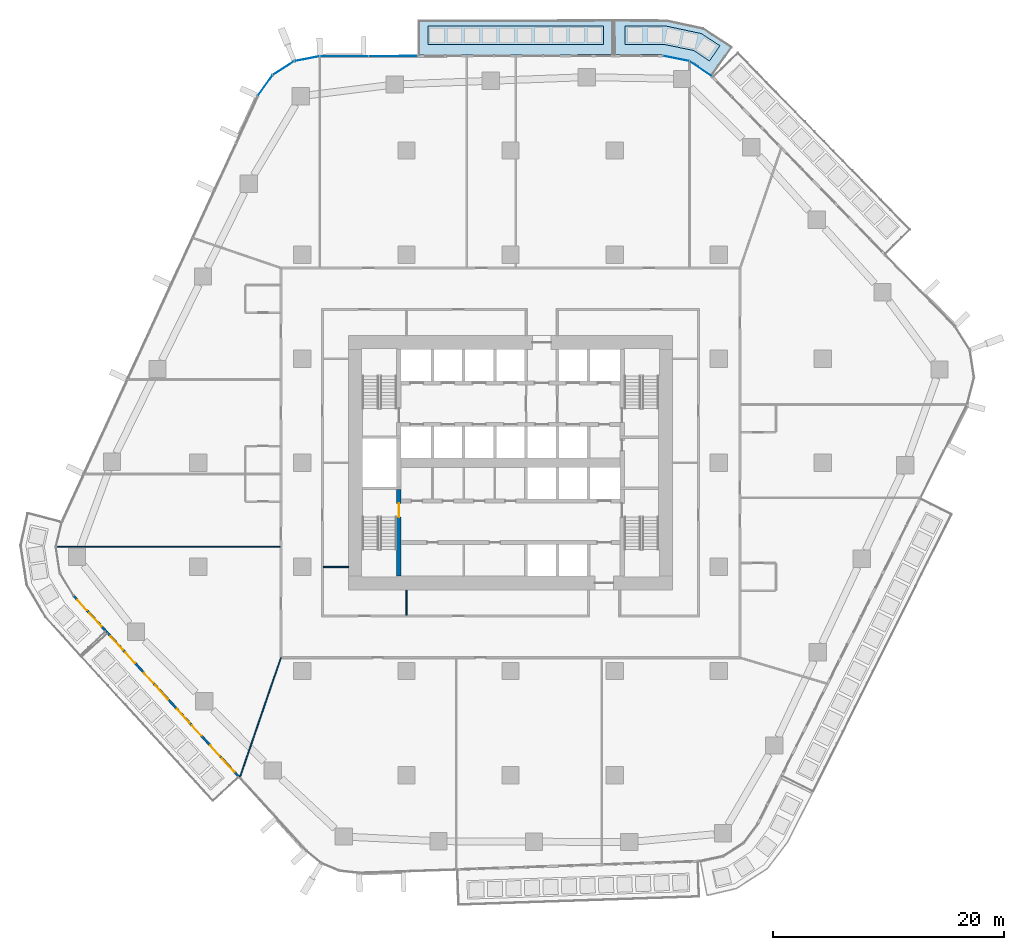
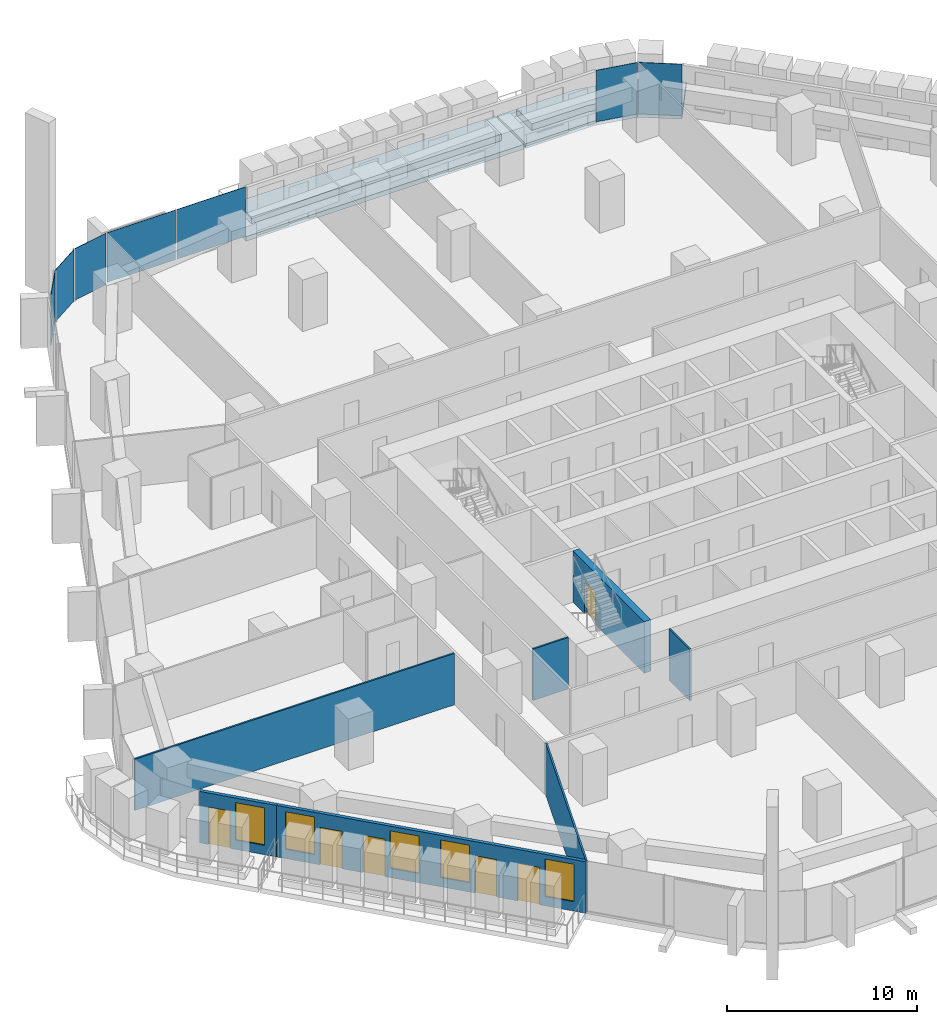
# One storey, part 12 of 26: 7 plates, 7 walls, 6 doors, 5 windows, 4 slabs, 11 openings, 3 elements without a shape of their own.
"""IFC4 building model written with IfcOpenShell, lengths in metres."""

from ifc_helpers import new_model, si_unit, direction, frame, frame_2d, origin, origin_2d, place, context, subcontext, project, spatial, polyline, rectangle, outline, extrude, material, layer, layer_set, type_object, element, fill, aggregate, save


model = new_model("IFC4")

# Units and contexts
model_context = context("Model", 3, precision=1e-05, world=origin(), true_north=direction((0.0, 1.0)))
body_context = subcontext(model_context, "Body", "Model", "MODEL_VIEW")
ifc_project = project(units=[si_unit("LENGTHUNIT", "METRE"), si_unit("AREAUNIT", "SQUARE_METRE"), si_unit("VOLUMEUNIT", "CUBIC_METRE"), si_unit("PLANEANGLEUNIT", "RADIAN"), si_unit("MASSUNIT", "GRAM", prefix="KILO")], contexts=[model_context])

# Site, building, storey
site_placement = place(None, origin())
site = spatial("IfcSite", under=ifc_project, at=site_placement, CompositionType="ELEMENT")
building_placement = place(site_placement, origin())
building = spatial("IfcBuilding", under=site, at=building_placement, Name="Dongbaek Canopy Tower", CompositionType="ELEMENT")
storey_placement = place(building_placement, frame((0.0, 0.0, 66.199951171875)))
storey = spatial("IfcBuildingStorey", under=building, at=storey_placement, Name="L12", CompositionType="ELEMENT", Elevation=66.199951171875)

# Slabs
ifc_material_1 = material(Name="Concrete C40/50", Category="concrete")
ifc_layer_1 = layer(ifc_material_1, 0.300048828125)
ifc_layer_set_1 = layer_set([ifc_layer_1], Name="Balcony slab 300")
slab_type_1 = type_object("IfcSlabType", Name="Balcony slab 300", PredefinedType="FLOOR", material=ifc_layer_set_1)
slab_1_placement = place(storey_placement, frame((0.0, 0.0, -0.300048828125)))
element("IfcSlab", 1, at=slab_1_placement, inside=storey, type_object=slab_type_1, Name="Balcony L12 2", PredefinedType="FLOOR", context=body_context, shape_type="SweptSolid", body=[
    extrude(outline(polyline([(8.88427734375, 35.28955078125), (-7.980224609375, 35.265380859375), (-7.984619140625, 38.265380859375), (8.8798828125, 38.28955078125), (8.88427734375, 35.28955078125)])), origin(), (0.0, 0.0, 1.0), 0.300048828125),
])
slab_2_placement = place(storey_placement, frame((0.0, 0.0, -0.300048828125)))
element("IfcSlab", 2, at=slab_2_placement, inside=storey, type_object=slab_type_1, Name="Balcony L12 6", PredefinedType="FLOOR", context=body_context, shape_type="SweptSolid", body=[
    extrude(outline(polyline([(17.44580078125, 33.50537109375), (15.515869140625, 34.823974609375), (13.17529296875, 35.295654296875), (8.984130859375, 35.289794921875), (8.97998046875, 38.289794921875), (13.470947265625, 38.28125), (16.681640625, 37.588134765625), (19.138427734375, 35.982177734375), (17.44580078125, 33.50537109375)])), origin(), (0.0, 0.0, 1.0), 0.300048828125),
])

# Curtain wall, plates
ifc_material_2 = material(Name="Aluminium 6063-T6 pale anodised", Category="aluminium")
ifc_layer_2 = layer(ifc_material_2, 0.199951171875)
ifc_layer_set_2 = layer_set([ifc_layer_2], Name="CW-1 unitised tower curtain wall")
curtain_wall_type = type_object("IfcCurtainWallType", Name="CW-1 unitised tower curtain wall", PredefinedType="NOTDEFINED", material=ifc_layer_set_2)
curtain_wall_1_placement = place(storey_placement, origin())
curtain_wall_1 = element("IfcCurtainWall", 3, at=curtain_wall_1_placement, inside=storey, type_object=curtain_wall_type, Name="CW-1 curtain wall K1.1", PredefinedType="NOTDEFINED")
ifc_material_3 = material(Name="Clear laminated glass", Category="glass")
ifc_layer_3 = layer(ifc_material_3, 0.028076171875)
ifc_layer_set_3 = layer_set([ifc_layer_3], Name="CW-1 glazed panel 28")
plate_type = type_object("IfcPlateType", Name="CW-1 glazed panel 28", PredefinedType="CURTAIN_PANEL", material=ifc_layer_set_3)
plate_1_placement = place(storey_placement, frame((16.44921875, 34.065185546875, 0.0), z_axis=(0.0, 0.0, 1.0), x_axis=(-0.825641209577, 0.564195527321, 0.0)))
plate_1 = element("IfcPlate", 4, at=plate_1_placement, type_object=plate_type, Name="CW-1 panel K1.1.1.1", PredefinedType="CURTAIN_PANEL", context=body_context, shape_type="SweptSolid", body=[
    extrude(rectangle(XDim=2.273193359375, YDim=0.028076171875, at=origin_2d()), origin(), (0.0, 0.0, 1.0), 3.300048828125),
])
plate_2_placement = place(storey_placement, frame((14.32080078125, 34.962890625, 0.0), z_axis=(0.0, 0.0, 1.0), x_axis=(-0.980291764832, 0.19755519685, 0.0)))
plate_2 = element("IfcPlate", 5, at=plate_2_placement, type_object=plate_type, Name="CW-1 panel K1.1.2.1", PredefinedType="CURTAIN_PANEL", context=body_context, shape_type="SweptSolid", body=[
    extrude(rectangle(XDim=2.273193359375, YDim=0.028076171875, at=origin_2d()), origin(), (0.0, 0.0, 1.0), 3.300048828125),
])
aggregate(curtain_wall_1, [plate_1, plate_2])

curtain_wall_2_placement = place(storey_placement, origin())
curtain_wall_2 = element("IfcCurtainWall", 6, at=curtain_wall_2_placement, inside=storey, type_object=curtain_wall_type, Name="CW-1 curtain wall F1.1", PredefinedType="NOTDEFINED")
plate_3_placement = place(storey_placement, frame((-10.150634765625, 35.162353515625, 0.1201171875), z_axis=(0.0, 0.0, 1.0), x_axis=(-0.999998971422, -0.00143427852, 0.0)))
plate_3 = element("IfcPlate", 7, at=plate_3_placement, type_object=plate_type, Name="CW-1 panel F1.1.1.1", PredefinedType="CURTAIN_PANEL", context=body_context, shape_type="SweptSolid", body=[
    extrude(rectangle(XDim=4.1572265625, YDim=0.028076171875, at=origin_2d()), origin(), (0.0, 0.0, 1.0), 3.179931640625),
])
plate_4_placement = place(storey_placement, frame((-14.386962890625, 35.15625, 0.1201171875), z_axis=(0.0, 0.0, 1.0), x_axis=(-0.999998971422, -0.00143427852, 0.0)))
plate_4 = element("IfcPlate", 8, at=plate_4_placement, type_object=plate_type, Name="CW-1 panel F1.1.2.1", PredefinedType="CURTAIN_PANEL", context=body_context, shape_type="SweptSolid", body=[
    extrude(rectangle(XDim=4.147705078125, YDim=0.028076171875, at=origin_2d()), origin(), (0.0, 0.0, 1.0), 3.179931640625),
])
aggregate(curtain_wall_2, [plate_3, plate_4])

curtain_wall_3_placement = place(storey_placement, origin())
curtain_wall_3 = element("IfcCurtainWall", 9, at=curtain_wall_3_placement, inside=storey, type_object=curtain_wall_type, Name="CW-1 curtain wall K2.1", PredefinedType="NOTDEFINED")
plate_5_placement = place(storey_placement, frame((-17.599365234375, 34.94091796875, 0.0), z_axis=(0.0, 0.0, 1.0), x_axis=(-0.981792795313, -0.189955013284, 0.0)))
plate_5 = element("IfcPlate", 10, at=plate_5_placement, type_object=plate_type, Name="CW-1 panel K2.1.1.1", PredefinedType="CURTAIN_PANEL", context=body_context, shape_type="SweptSolid", body=[
    extrude(rectangle(XDim=2.14990234375, YDim=0.028076171875, at=origin_2d()), origin(), (0.0, 0.0, 1.0), 3.300048828125),
])
plate_6_placement = place(storey_placement, frame((-19.632080078125, 34.128173828125, 0.0), z_axis=(0.0, 0.0, 1.0), x_axis=(-0.84164162905, -0.540036450853, 0.0)))
plate_6 = element("IfcPlate", 11, at=plate_6_placement, type_object=plate_type, Name="CW-1 panel K2.1.2.1", PredefinedType="CURTAIN_PANEL", context=body_context, shape_type="SweptSolid", body=[
    extrude(rectangle(XDim=2.14013671875, YDim=0.028076171875, at=origin_2d()), origin(), (0.0, 0.0, 1.0), 3.300048828125),
])
plate_7_placement = place(storey_placement, frame((-21.2177734375, 32.619384765625, 0.0), z_axis=(0.0, 0.0, 1.0), x_axis=(-0.581809559836, -0.813325049463, 0.0)))
plate_7 = element("IfcPlate", 12, at=plate_7_placement, type_object=plate_type, Name="CW-1 panel K2.1.3.1", PredefinedType="CURTAIN_PANEL", context=body_context, shape_type="SweptSolid", body=[
    extrude(rectangle(XDim=2.14990234375, YDim=0.028076171875, at=origin_2d()), origin(), (0.0, 0.0, 1.0), 3.300048828125),
])
aggregate(curtain_wall_3, [plate_5, plate_6, plate_7])

# Slabs
ifc_material_4 = material(Name="Reinforced concrete C40/50 planter box with soil", Category="concrete")
ifc_layer_4 = layer(ifc_material_4, 0.419921875)
ifc_layer_set_4 = layer_set([ifc_layer_4], Name="Terrace planter box 1600 x 420")
slab_type_2 = type_object("IfcSlabType", Name="Terrace planter box 1600 x 420", PredefinedType="USERDEFINED", material=ifc_layer_set_4)
slab_3_placement = place(storey_placement, origin())
element("IfcSlab", 13, at=slab_3_placement, inside=storey, type_object=slab_type_2, Name="Balcony planter L12 2", ObjectType="PLANTER", PredefinedType="USERDEFINED", context=body_context, shape_type="SweptSolid", body=[
    extrude(outline(polyline([(8.032958984375, 36.178466796875), (-7.131591796875, 36.15673828125), (-7.1337890625, 37.756591796875), (8.03076171875, 37.7783203125), (8.032958984375, 36.178466796875)])), origin(), (0.0, 0.0, 1.0), 0.420166015625),
])
slab_4_placement = place(storey_placement, origin())
element("IfcSlab", 14, at=slab_4_placement, inside=storey, type_object=slab_type_2, Name="Balcony planter L12 6", ObjectType="PLANTER", PredefinedType="USERDEFINED", context=body_context, shape_type="SweptSolid", body=[
    extrude(outline(polyline([(17.204833984375, 34.747802734375), (15.86181640625, 35.64404296875), (13.262939453125, 36.181396484375), (9.883056640625, 36.18115234375), (9.880615234375, 37.781005859375), (13.420654296875, 37.773681640625), (16.483642578125, 37.118408203125), (18.107666015625, 36.06884765625), (17.204833984375, 34.747802734375)])), origin(), (0.0, 0.0, 1.0), 0.420166015625),
])

# Walls
ifc_material_5 = material(Name="Gypsum board partition, steel stud, 2 x 12.5 mm board", Category="steel")
ifc_layer_5 = layer(ifc_material_5, 0.10009765625)
ifc_layer_set_5 = layer_set([ifc_layer_5], Name="Partition 100 gypsum board")
wall_type_1 = type_object("IfcWallType", Name="Partition 100 gypsum board", PredefinedType="PARTITIONING", material=ifc_layer_set_5)
wall_1_placement = place(storey_placement, frame((-16.175048828125, -9.0, 0.0), z_axis=(0.0, 0.0, 1.0), x_axis=(1.0, 0.0, 0.0)))
element("IfcWall", 15, at=wall_1_placement, inside=storey, type_object=wall_type_1, Name="Partition", PredefinedType="PARTITIONING", context=body_context, shape_type="SweptSolid", body=[
    extrude(rectangle(XDim=2.175048828125, YDim=0.10009765625, at=frame_2d((1.08740234375, 0.0))), origin(), (0.0, 0.0, 1.0), 3.300048828125),
])
wall_2_placement = place(storey_placement, frame((-39.29345703125, -7.26904296875, 0.0), z_axis=(0.0, 0.0, 1.0), x_axis=(1.0, 0.0, 0.0)))
element("IfcWall", 16, at=wall_2_placement, inside=storey, type_object=wall_type_1, Name="Partition", PredefinedType="PARTITIONING", context=body_context, shape_type="SweptSolid", body=[
    extrude(rectangle(XDim=19.368408203125, YDim=0.10009765625, at=frame_2d((9.68408203125, 0.0))), origin(), (0.0, 0.0, 1.0), 3.300048828125),
])
wall_3_placement = place(storey_placement, frame((-23.40380859375, -27.212646484375, 0.0), z_axis=(0.0, 0.0, 1.0), x_axis=(0.32441263541, 0.945915663253, 0.0)))
element("IfcWall", 17, at=wall_3_placement, inside=storey, type_object=wall_type_1, Name="Partition", PredefinedType="PARTITIONING", context=body_context, shape_type="SweptSolid", body=[
    extrude(rectangle(XDim=10.955078125, YDim=0.10009765625, at=frame_2d((5.4775390625, 0.0))), origin(), (0.0, 0.0, 1.0), 3.300048828125),
])
wall_4_placement = place(storey_placement, frame((-9.0, -13.175048828125, 0.0), z_axis=(0.0, 0.0, 1.0), x_axis=(0.0, 1.0, 0.0)))
element("IfcWall", 18, at=wall_4_placement, inside=storey, type_object=wall_type_1, Name="Partition", PredefinedType="PARTITIONING", context=body_context, shape_type="SweptSolid", body=[
    extrude(rectangle(XDim=2.175048828125, YDim=0.10009765625, at=frame_2d((1.08740234375, 0.0))), origin(), (0.0, 0.0, 1.0), 3.300048828125),
])

# Wall, opening, door
ifc_material_6 = material(Name="Concrete C60/75", Category="concrete")
ifc_layer_6 = layer(ifc_material_6, 0.39990234375)
ifc_layer_set_6 = layer_set([ifc_layer_6], Name="Stair wall 400 Concrete C60/75")
wall_type_2 = type_object("IfcWallType", Name="Stair wall 400 Concrete C60/75", PredefinedType="SHEAR", material=ifc_layer_set_6)
wall_5_placement = place(storey_placement, frame((-9.64990234375, -9.800048828125, 0.0), z_axis=(0.0, 0.0, 1.0), x_axis=(0.0, 1.0, 0.0)))
wall_5 = element("IfcWall", 19, at=wall_5_placement, inside=storey, type_object=wall_type_2, Name="Stair wall", PredefinedType="SHEAR", context=body_context, shape_type="SweptSolid", body=[
    extrude(rectangle(XDim=7.5, YDim=0.39990234375, at=frame_2d((3.75, 0.0))), origin(), (0.0, 0.0, 1.0), 3.300048828125),
])
opening_1_placement = place(wall_5_placement, frame((5.10009765625, 0.0, 0.0)))
opening_1 = element("IfcOpeningElement", 20, at=opening_1_placement, cuts=wall_5, Name="Opening L12-D055", PredefinedType="OPENING", context=body_context, shape_type="SweptSolid", body=[
    extrude(rectangle(XDim=1.199951171875, YDim=2.10009765625, at=frame_2d((0.60009765625, 1.050048828125))), frame((0.0, 0.2099609375, 0.0), z_axis=(0.0, -1.0, 0.0), x_axis=(1.0, 0.0, 0.0)), (0.0, 0.0, 1.0), 0.419921875),
])
ifc_material_7 = material(Name="Steel", Category="steel")
door_type_1 = type_object("IfcDoorType", Name="Stair door 1200 x 2100", OperationType="SINGLE_SWING_LEFT", PredefinedType="DOOR", material=ifc_material_7)
door_1_placement = place(opening_1_placement, origin())
door_1 = element("IfcDoor", 21, at=door_1_placement, inside=storey, type_object=door_type_1, Name="Stair D door", OperationType="SINGLE_SWING_LEFT", OverallHeight=2.10009765625, OverallWidth=1.199951171875, PredefinedType="DOOR", context=body_context, shape_type="SweptSolid", body=[
    extrude(rectangle(XDim=1.199951171875, YDim=2.10009765625, at=frame_2d((0.60009765625, 1.050048828125))), frame((0.0, 0.02490234375, 0.0), z_axis=(0.0, -1.0, 0.0), x_axis=(1.0, 0.0, 0.0)), (0.0, 0.0, 1.0), 0.050048828125),
])
fill(opening_1, door_1)

# Wall, openings, doors, windows
ifc_material_8 = material(Name="Aluminium window wall", Category="aluminium")
ifc_layer_7 = layer(ifc_material_8, 0.199951171875)
ifc_layer_set_7 = layer_set([ifc_layer_7], Name="Window wall 200")
wall_type_3 = type_object("IfcWallType", Name="Window wall 200", PredefinedType="SOLIDWALL", material=ifc_layer_set_7)
wall_6_placement = place(storey_placement, frame((-34.90576171875, -14.636474609375, 0.0), z_axis=(0.0, 0.0, 1.0), x_axis=(0.674011334321, -0.738721003632, 0.0)))
wall_6 = element("IfcWall", 22, at=wall_6_placement, inside=storey, type_object=wall_type_3, Name="Window wall L12 3", PredefinedType="SOLIDWALL", context=body_context, shape_type="SweptSolid", body=[
    extrude(rectangle(XDim=17.05322265625, YDim=0.199951171875, at=frame_2d((8.526611328125, 0.0))), origin(), (0.0, 0.0, 1.0), 3.300048828125),
])
opening_2_placement = place(wall_6_placement, frame((0.5, 0.0, 0.60009765625)))
opening_2 = element("IfcOpeningElement", 23, at=opening_2_placement, cuts=wall_6, Name="Opening W1", PredefinedType="OPENING", context=body_context, shape_type="SweptSolid", body=[
    extrude(rectangle(XDim=1.60009765625, YDim=2.39990234375, at=frame_2d((0.800048828125, 1.199951171875))), frame((0.0, 0.10986328125, 0.0), z_axis=(0.0, -1.0, 0.0), x_axis=(1.0, 0.0, 0.0)), (0.0, 0.0, 1.0), 0.219970703125),
])
opening_3_placement = place(wall_6_placement, frame((2.39990234375, 0.0, 0.0)))
opening_3 = element("IfcOpeningElement", 24, at=opening_3_placement, cuts=wall_6, Name="Opening L12-B11", PredefinedType="OPENING", context=body_context, shape_type="SweptSolid", body=[
    extrude(rectangle(XDim=1.199951171875, YDim=2.39990234375, at=frame_2d((0.60009765625, 1.199951171875))), frame((0.0, 0.10986328125, 0.0), z_axis=(0.0, -1.0, 0.0), x_axis=(1.0, 0.0, 0.0)), (0.0, 0.0, 1.0), 0.219970703125),
])
opening_4_placement = place(wall_6_placement, frame((6.263427734375, 0.0, 0.60009765625)))
opening_4 = element("IfcOpeningElement", 25, at=opening_4_placement, cuts=wall_6, Name="Opening W1", PredefinedType="OPENING", context=body_context, shape_type="SweptSolid", body=[
    extrude(rectangle(XDim=1.60009765625, YDim=2.39990234375, at=frame_2d((0.800048828125, 1.199951171875))), frame((0.0, 0.10986328125, 0.0), z_axis=(0.0, -1.0, 0.0), x_axis=(1.0, 0.0, 0.0)), (0.0, 0.0, 1.0), 0.219970703125),
])
opening_5_placement = place(wall_6_placement, frame((4.763427734375, 0.0, 0.0)))
opening_5 = element("IfcOpeningElement", 26, at=opening_5_placement, cuts=wall_6, Name="Opening L12-B12", PredefinedType="OPENING", context=body_context, shape_type="SweptSolid", body=[
    extrude(rectangle(XDim=1.199951171875, YDim=2.39990234375, at=frame_2d((0.60009765625, 1.199951171875))), frame((0.0, 0.10986328125, 0.0), z_axis=(0.0, -1.0, 0.0), x_axis=(1.0, 0.0, 0.0)), (0.0, 0.0, 1.0), 0.219970703125),
])
opening_6_placement = place(wall_6_placement, frame((9.02685546875, 0.0, 0.60009765625)))
opening_6 = element("IfcOpeningElement", 27, at=opening_6_placement, cuts=wall_6, Name="Opening W1", PredefinedType="OPENING", context=body_context, shape_type="SweptSolid", body=[
    extrude(rectangle(XDim=1.60009765625, YDim=2.39990234375, at=frame_2d((0.800048828125, 1.199951171875))), frame((0.0, 0.10986328125, 0.0), z_axis=(0.0, -1.0, 0.0), x_axis=(1.0, 0.0, 0.0)), (0.0, 0.0, 1.0), 0.219970703125),
])
opening_7_placement = place(wall_6_placement, frame((10.9267578125, 0.0, 0.0)))
opening_7 = element("IfcOpeningElement", 28, at=opening_7_placement, cuts=wall_6, Name="Opening L12-B13", PredefinedType="OPENING", context=body_context, shape_type="SweptSolid", body=[
    extrude(rectangle(XDim=1.199951171875, YDim=2.39990234375, at=frame_2d((0.60009765625, 1.199951171875))), frame((0.0, 0.10986328125, 0.0), z_axis=(0.0, -1.0, 0.0), x_axis=(1.0, 0.0, 0.0)), (0.0, 0.0, 1.0), 0.219970703125),
])
opening_8_placement = place(wall_6_placement, frame((14.7900390625, 0.0, 0.60009765625)))
opening_8 = element("IfcOpeningElement", 29, at=opening_8_placement, cuts=wall_6, Name="Opening W1", PredefinedType="OPENING", context=body_context, shape_type="SweptSolid", body=[
    extrude(rectangle(XDim=1.60009765625, YDim=2.39990234375, at=frame_2d((0.800048828125, 1.199951171875))), frame((0.0, 0.10986328125, 0.0), z_axis=(0.0, -1.0, 0.0), x_axis=(1.0, 0.0, 0.0)), (0.0, 0.0, 1.0), 0.219970703125),
])
opening_9_placement = place(wall_6_placement, frame((13.2900390625, 0.0, 0.0)))
opening_9 = element("IfcOpeningElement", 30, at=opening_9_placement, cuts=wall_6, Name="Opening L12-B14", PredefinedType="OPENING", context=body_context, shape_type="SweptSolid", body=[
    extrude(rectangle(XDim=1.199951171875, YDim=2.39990234375, at=frame_2d((0.60009765625, 1.199951171875))), frame((0.0, 0.10986328125, 0.0), z_axis=(0.0, -1.0, 0.0), x_axis=(1.0, 0.0, 0.0)), (0.0, 0.0, 1.0), 0.219970703125),
])
ifc_material_9 = material(Name="Clear glazing in aluminium frame", Category="aluminium")
door_type_2 = type_object("IfcDoorType", Name="Balcony door BD1 1200 x 2400", OperationType="SLIDING_TO_LEFT", PredefinedType="DOOR", material=ifc_material_9)
door_2_placement = place(opening_3_placement, origin())
door_2 = element("IfcDoor", 31, at=door_2_placement, inside=storey, type_object=door_type_2, Name="Balcony door L12-B11", OperationType="SLIDING_TO_LEFT", OverallHeight=2.39990234375, OverallWidth=1.199951171875, PredefinedType="DOOR", context=body_context, shape_type="SweptSolid", body=[
    extrude(rectangle(XDim=1.199951171875, YDim=2.39990234375, at=frame_2d((0.60009765625, 1.199951171875))), frame((0.0, 0.02490234375, 0.0), z_axis=(0.0, -1.0, 0.0), x_axis=(1.0, 0.0, 0.0)), (0.0, 0.0, 1.0), 0.050048828125),
])
fill(opening_3, door_2)
door_3_placement = place(opening_5_placement, origin())
door_3 = element("IfcDoor", 32, at=door_3_placement, inside=storey, type_object=door_type_2, Name="Balcony door L12-B12", OperationType="SLIDING_TO_LEFT", OverallHeight=2.39990234375, OverallWidth=1.199951171875, PredefinedType="DOOR", context=body_context, shape_type="SweptSolid", body=[
    extrude(rectangle(XDim=1.199951171875, YDim=2.39990234375, at=frame_2d((0.60009765625, 1.199951171875))), frame((0.0, 0.02490234375, 0.0), z_axis=(0.0, -1.0, 0.0), x_axis=(1.0, 0.0, 0.0)), (0.0, 0.0, 1.0), 0.050048828125),
])
fill(opening_5, door_3)
door_4_placement = place(opening_7_placement, origin())
door_4 = element("IfcDoor", 33, at=door_4_placement, inside=storey, type_object=door_type_2, Name="Balcony door L12-B13", OperationType="SLIDING_TO_LEFT", OverallHeight=2.39990234375, OverallWidth=1.199951171875, PredefinedType="DOOR", context=body_context, shape_type="SweptSolid", body=[
    extrude(rectangle(XDim=1.199951171875, YDim=2.39990234375, at=frame_2d((0.60009765625, 1.199951171875))), frame((0.0, 0.02490234375, 0.0), z_axis=(0.0, -1.0, 0.0), x_axis=(1.0, 0.0, 0.0)), (0.0, 0.0, 1.0), 0.050048828125),
])
fill(opening_7, door_4)
door_5_placement = place(opening_9_placement, origin())
door_5 = element("IfcDoor", 34, at=door_5_placement, inside=storey, type_object=door_type_2, Name="Balcony door L12-B14", OperationType="SLIDING_TO_LEFT", OverallHeight=2.39990234375, OverallWidth=1.199951171875, PredefinedType="DOOR", context=body_context, shape_type="SweptSolid", body=[
    extrude(rectangle(XDim=1.199951171875, YDim=2.39990234375, at=frame_2d((0.60009765625, 1.199951171875))), frame((0.0, 0.02490234375, 0.0), z_axis=(0.0, -1.0, 0.0), x_axis=(1.0, 0.0, 0.0)), (0.0, 0.0, 1.0), 0.050048828125),
])
fill(opening_9, door_5)
ifc_material_10 = material(Name="Clear glazing in aluminium frame", Category="aluminium")
window_type = type_object("IfcWindowType", Name="Window W1 1600 x 2400", PartitioningType="SINGLE_PANEL", PredefinedType="WINDOW", material=ifc_material_10)
window_1_placement = place(opening_2_placement, origin())
window_1 = element("IfcWindow", 35, at=window_1_placement, inside=storey, type_object=window_type, Name="Window L12 3.1", OverallHeight=2.39990234375, OverallWidth=1.60009765625, PartitioningType="SINGLE_PANEL", PredefinedType="WINDOW", context=body_context, shape_type="SweptSolid", body=[
    extrude(rectangle(XDim=1.60009765625, YDim=2.39990234375, at=frame_2d((0.800048828125, 1.199951171875))), frame((0.0, 0.030029296875, 0.0), z_axis=(0.0, -1.0, 0.0), x_axis=(1.0, 0.0, 0.0)), (0.0, 0.0, 1.0), 0.06005859375),
])
fill(opening_2, window_1)
window_2_placement = place(opening_4_placement, origin())
window_2 = element("IfcWindow", 36, at=window_2_placement, inside=storey, type_object=window_type, Name="Window L12 3.2", OverallHeight=2.39990234375, OverallWidth=1.60009765625, PartitioningType="SINGLE_PANEL", PredefinedType="WINDOW", context=body_context, shape_type="SweptSolid", body=[
    extrude(rectangle(XDim=1.60009765625, YDim=2.39990234375, at=frame_2d((0.800048828125, 1.199951171875))), frame((0.0, 0.030029296875, 0.0), z_axis=(0.0, -1.0, 0.0), x_axis=(1.0, 0.0, 0.0)), (0.0, 0.0, 1.0), 0.06005859375),
])
fill(opening_4, window_2)
window_3_placement = place(opening_6_placement, origin())
window_3 = element("IfcWindow", 37, at=window_3_placement, inside=storey, type_object=window_type, Name="Window L12 3.3", OverallHeight=2.39990234375, OverallWidth=1.60009765625, PartitioningType="SINGLE_PANEL", PredefinedType="WINDOW", context=body_context, shape_type="SweptSolid", body=[
    extrude(rectangle(XDim=1.60009765625, YDim=2.39990234375, at=frame_2d((0.800048828125, 1.199951171875))), frame((0.0, 0.030029296875, 0.0), z_axis=(0.0, -1.0, 0.0), x_axis=(1.0, 0.0, 0.0)), (0.0, 0.0, 1.0), 0.06005859375),
])
fill(opening_6, window_3)
window_4_placement = place(opening_8_placement, origin())
window_4 = element("IfcWindow", 38, at=window_4_placement, inside=storey, type_object=window_type, Name="Window L12 3.4", OverallHeight=2.39990234375, OverallWidth=1.60009765625, PartitioningType="SINGLE_PANEL", PredefinedType="WINDOW", context=body_context, shape_type="SweptSolid", body=[
    extrude(rectangle(XDim=1.60009765625, YDim=2.39990234375, at=frame_2d((0.800048828125, 1.199951171875))), frame((0.0, 0.030029296875, 0.0), z_axis=(0.0, -1.0, 0.0), x_axis=(1.0, 0.0, 0.0)), (0.0, 0.0, 1.0), 0.06005859375),
])
fill(opening_8, window_4)

# Wall, openings, door, window
wall_7_placement = place(storey_placement, frame((-37.772705078125, -11.494140625, 0.0), z_axis=(0.0, 0.0, 1.0), x_axis=(0.673994410995, -0.738736444172, 0.0)))
wall_7 = element("IfcWall", 39, at=wall_7_placement, inside=storey, type_object=wall_type_3, Name="Window wall L12 7", PredefinedType="SOLIDWALL", context=body_context, shape_type="SweptSolid", body=[
    extrude(rectangle(XDim=4.253662109375, YDim=0.199951171875, at=frame_2d((2.126953125, 0.0))), origin(), (0.0, 0.0, 1.0), 3.300048828125),
])
opening_10_placement = place(wall_7_placement, frame((2.0, 0.0, 0.60009765625)))
opening_10 = element("IfcOpeningElement", 40, at=opening_10_placement, cuts=wall_7, Name="Opening W1", PredefinedType="OPENING", context=body_context, shape_type="SweptSolid", body=[
    extrude(rectangle(XDim=1.60009765625, YDim=2.39990234375, at=frame_2d((0.800048828125, 1.199951171875))), frame((0.0, 0.10986328125, 0.0), z_axis=(0.0, -1.0, 0.0), x_axis=(1.0, 0.0, 0.0)), (0.0, 0.0, 1.0), 0.219970703125),
])
opening_11_placement = place(wall_7_placement, frame((0.5, 0.0, 0.0)))
opening_11 = element("IfcOpeningElement", 41, at=opening_11_placement, cuts=wall_7, Name="Opening L12-B15", PredefinedType="OPENING", context=body_context, shape_type="SweptSolid", body=[
    extrude(rectangle(XDim=1.199951171875, YDim=2.39990234375, at=frame_2d((0.60009765625, 1.199951171875))), frame((0.0, 0.10986328125, 0.0), z_axis=(0.0, -1.0, 0.0), x_axis=(1.0, 0.0, 0.0)), (0.0, 0.0, 1.0), 0.219970703125),
])
door_6_placement = place(opening_11_placement, origin())
door_6 = element("IfcDoor", 42, at=door_6_placement, inside=storey, type_object=door_type_2, Name="Balcony door L12-B15", OperationType="SLIDING_TO_LEFT", OverallHeight=2.39990234375, OverallWidth=1.199951171875, PredefinedType="DOOR", context=body_context, shape_type="SweptSolid", body=[
    extrude(rectangle(XDim=1.199951171875, YDim=2.39990234375, at=frame_2d((0.60009765625, 1.199951171875))), frame((0.0, 0.02490234375, 0.0), z_axis=(0.0, -1.0, 0.0), x_axis=(1.0, 0.0, 0.0)), (0.0, 0.0, 1.0), 0.050048828125),
])
fill(opening_11, door_6)
window_5_placement = place(opening_10_placement, origin())
window_5 = element("IfcWindow", 43, at=window_5_placement, inside=storey, type_object=window_type, Name="Window L12 7.1", OverallHeight=2.39990234375, OverallWidth=1.60009765625, PartitioningType="SINGLE_PANEL", PredefinedType="WINDOW", context=body_context, shape_type="SweptSolid", body=[
    extrude(rectangle(XDim=1.60009765625, YDim=2.39990234375, at=frame_2d((0.800048828125, 1.199951171875))), frame((0.0, 0.030029296875, 0.0), z_axis=(0.0, -1.0, 0.0), x_axis=(1.0, 0.0, 0.0)), (0.0, 0.0, 1.0), 0.06005859375),
])
fill(opening_10, window_5)

save(model, "model.ifc")
